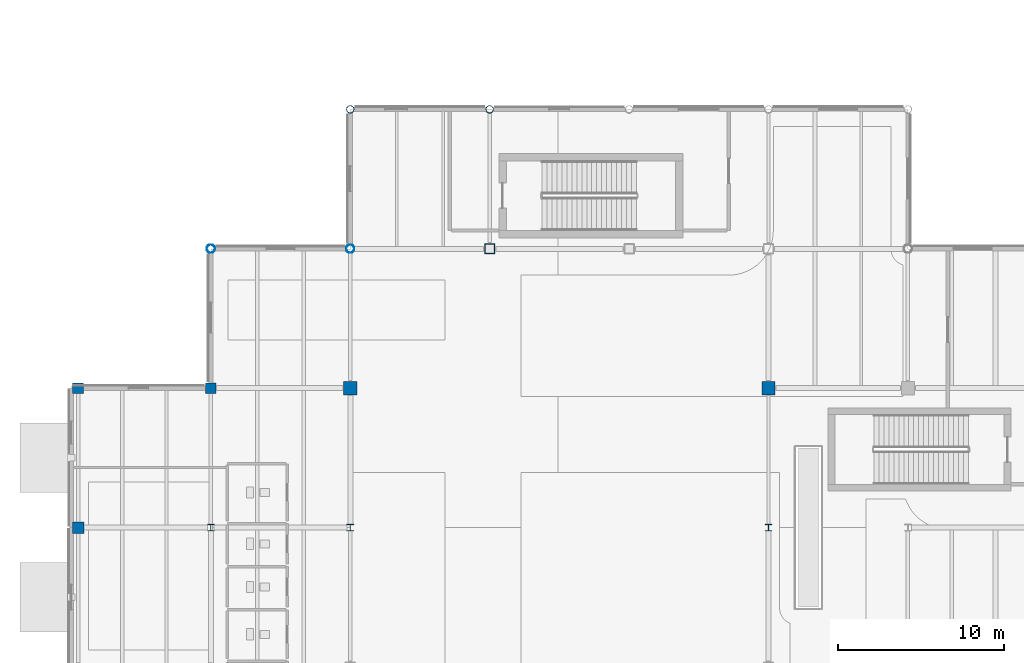
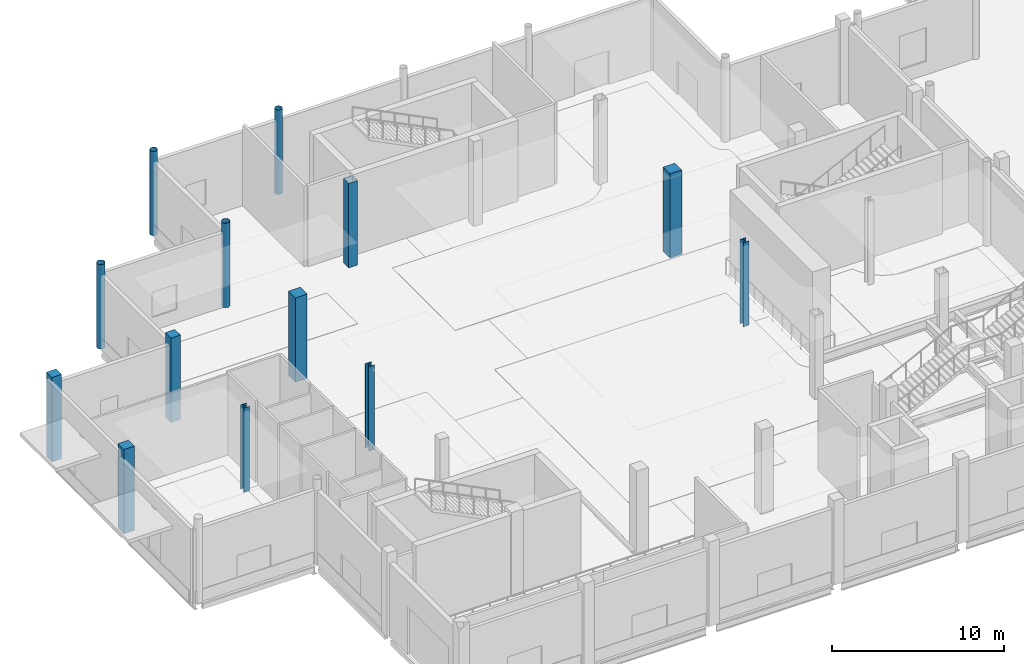
# One storey, part 7 of 85: 13 columns.
"""IFC4 building model written with IfcOpenShell, lengths in metres."""

from ifc_helpers import new_model, si_unit, direction, frame, origin, origin_2d, place, context, subcontext, project, spatial, rectangle, hollow_rectangle, hollow_circle, i_section, extrude, material, material_profile, profile_set, type_object, element, save


model = new_model("IFC4")

# Units and contexts
model_context = context("Model", 3, precision=1e-05, world=origin(), true_north=direction((0.0, 1.0)))
body_context = subcontext(model_context, "Body", "Model", "MODEL_VIEW")
ifc_project = project(units=[si_unit("LENGTHUNIT", "METRE"), si_unit("AREAUNIT", "SQUARE_METRE"), si_unit("VOLUMEUNIT", "CUBIC_METRE"), si_unit("PLANEANGLEUNIT", "RADIAN"), si_unit("MASSUNIT", "GRAM", prefix="KILO"), si_unit("THERMODYNAMICTEMPERATUREUNIT", "KELVIN")], contexts=[model_context])

# Site, building, storey
site_placement = place(None, origin())
site = spatial("IfcSite", under=ifc_project, at=site_placement, CompositionType="ELEMENT")
building_placement = place(site_placement, origin())
building = spatial("IfcBuilding", under=site, at=building_placement, Name="Lustrewick Department Store", CompositionType="ELEMENT")
storey_placement = place(building_placement, origin())
storey = spatial("IfcBuildingStorey", under=building, at=storey_placement, Name="L01", CompositionType="ELEMENT", Elevation=0.0)

# Columns
ifc_material_1 = material(Name="Structural steel Q355C", Category="steel")
ifc_material_profile_1 = material_profile(ifc_material_1, hollow_rectangle(XDim=0.60009765625, YDim=0.60009765625, WallThickness=0.02392578125, at=origin_2d()), Name="BOX 600x600x24")
ifc_profile_set_1 = profile_set([ifc_material_profile_1], Name="Structural steel Q355C")
column_type_1 = type_object("IfcColumnType", Name="C04", PredefinedType="COLUMN", material=ifc_profile_set_1)
column_1_placement = place(storey_placement, frame((25.199951171875, 84.0, 0.0), z_axis=(0.0, 0.0, 1.0), x_axis=(1.0, 0.0, 0.0)))
element("IfcColumn", 1, at=column_1_placement, inside=storey, type_object=column_type_1, Name="L01 V1 Column C04", PredefinedType="COLUMN", context=body_context, shape_type="SweptSolid", body=[
    extrude(hollow_rectangle(XDim=0.60009765625, YDim=0.60009765625, WallThickness=0.02392578125, at=origin_2d()), origin(), (0.0, 0.0, 1.0), 6.0),
])
ifc_material_2 = material(Name="Structural steel Q355B", Category="steel")
ifc_material_profile_2 = material_profile(ifc_material_2, i_section(OverallWidth=0.39990234375, OverallDepth=0.39990234375, WebThickness=0.012939453125, FlangeThickness=0.02099609375, FilletRadius=0.02197265625, at=origin_2d()), Name="HW 400x400x13x21")
ifc_profile_set_2 = profile_set([ifc_material_profile_2], Name="Structural steel Q355B")
column_type_2 = type_object("IfcColumnType", Name="C11", PredefinedType="COLUMN", material=ifc_profile_set_2)
for number, where, z_axis, x_axis, name in (
    (2, (8.39990234375, 67.199951171875, 0.0), (0.0, 0.0, 1.0), (1.0, 0.0, 0.0), "L01 V1 Column C11"),
    (3, (16.800048828125, 67.199951171875, 0.0), (0.0, 0.0, 1.0), (1.0, 0.0, 0.0), "L01 V1 Column C11"),
    (4, (42.0, 67.199951171875, 0.0), (0.0, 0.0, 1.0), (1.0, 0.0, 0.0), "L01 V1 Column C11"),
):
    element("IfcColumn", number, at=place(storey_placement, frame(where, z_axis=z_axis, x_axis=x_axis)), inside=storey, type_object=column_type_2, Name=name, PredefinedType="COLUMN", context=body_context, shape_type="SweptSolid", body=[
        extrude(i_section(OverallWidth=0.39990234375, OverallDepth=0.39990234375, WebThickness=0.012939453125, FlangeThickness=0.02099609375, FilletRadius=0.02197265625, at=origin_2d()), origin(), (0.0, 0.0, 1.0), 6.0),
    ])
ifc_material_3 = material(Name="Concrete C40", Category="concrete")
ifc_material_profile_3 = material_profile(ifc_material_3, rectangle(XDim=0.800048828125, YDim=0.800048828125, at=origin_2d()), Name="RC 800x800")
ifc_profile_set_3 = profile_set([ifc_material_profile_3], Name="Concrete C40")
column_type_3 = type_object("IfcColumnType", Name="C19", PredefinedType="COLUMN", material=ifc_profile_set_3)
for number, where, z_axis, x_axis, name in (
    (5, (16.800048828125, 75.60009765625, 0.0), (0.0, 0.0, 1.0), (1.0, 0.0, 0.0), "L01 V1 Column C19"),
    (6, (42.0, 75.60009765625, 0.0), (0.0, 0.0, 1.0), (1.0, 0.0, 0.0), "L01 V1 Column C19"),
):
    element("IfcColumn", number, at=place(storey_placement, frame(where, z_axis=z_axis, x_axis=x_axis)), inside=storey, type_object=column_type_3, Name=name, PredefinedType="COLUMN", context=body_context, shape_type="SweptSolid", body=[
        extrude(rectangle(XDim=0.800048828125, YDim=0.800048828125, at=origin_2d()), origin(), (0.0, 0.0, 1.0), 6.0),
    ])
ifc_material_profile_4 = material_profile(ifc_material_1, hollow_circle(Radius=0.25390625, WallThickness=0.01611328125, at=origin_2d()), Name="CHS 508x16")
ifc_profile_set_4 = profile_set([ifc_material_profile_4], Name="Structural steel Q355C")
column_type_4 = type_object("IfcColumnType", Name="CE01", PredefinedType="COLUMN", material=ifc_profile_set_4)
for number, where, z_axis, x_axis, name in (
    (7, (8.39990234375, 84.0, 0.0), (0.0, 0.0, 1.0), (1.0, 0.0, 0.0), "L01 V1 Column CE01"),
    (8, (16.800048828125, 84.0, 0.0), (0.0, 0.0, 1.0), (1.0, 0.0, 0.0), "L01 V1 Column CE01"),
):
    element("IfcColumn", number, at=place(storey_placement, frame(where, z_axis=z_axis, x_axis=x_axis)), inside=storey, type_object=column_type_4, Name=name, PredefinedType="COLUMN", context=body_context, shape_type="SweptSolid", body=[
        extrude(hollow_circle(Radius=0.25390625, WallThickness=0.01611328125, at=origin_2d()), origin(), (0.0, 0.0, 1.0), 6.0),
    ])
ifc_material_profile_5 = material_profile(ifc_material_1, hollow_circle(Radius=0.228515625, WallThickness=0.01611328125, at=origin_2d()), Name="CHS 457x16")
ifc_profile_set_5 = profile_set([ifc_material_profile_5], Name="Structural steel Q355C")
column_type_5 = type_object("IfcColumnType", Name="CE02", PredefinedType="COLUMN", material=ifc_profile_set_5)
for number, where, z_axis, x_axis, name in (
    (9, (16.800048828125, 92.39990234375, 0.0), (0.0, 0.0, 1.0), (1.0, 0.0, 0.0), "L01 V1 Column CE02"),
    (10, (25.199951171875, 92.39990234375, 0.0), (0.0, 0.0, 1.0), (1.0, 0.0, 0.0), "L01 V1 Column CE02"),
):
    element("IfcColumn", number, at=place(storey_placement, frame(where, z_axis=z_axis, x_axis=x_axis)), inside=storey, type_object=column_type_5, Name=name, PredefinedType="COLUMN", context=body_context, shape_type="SweptSolid", body=[
        extrude(hollow_circle(Radius=0.228515625, WallThickness=0.01611328125, at=origin_2d()), origin(), (0.0, 0.0, 1.0), 6.0),
    ])
ifc_material_profile_6 = material_profile(ifc_material_3, rectangle(XDim=0.699951171875, YDim=0.699951171875, at=origin_2d()), Name="RC 700x700")
ifc_profile_set_6 = profile_set([ifc_material_profile_6], Name="Concrete C40")
column_type_6 = type_object("IfcColumnType", Name="CE06", PredefinedType="COLUMN", material=ifc_profile_set_6)
column_2_placement = place(storey_placement, frame((0.39990234375, 67.199951171875, 0.0), z_axis=(0.0, 0.0, 1.0), x_axis=(1.0, 0.0, 0.0)))
element("IfcColumn", 11, at=column_2_placement, inside=storey, type_object=column_type_6, Name="L01 V1 Column CE06", PredefinedType="COLUMN", context=body_context, shape_type="SweptSolid", body=[
    extrude(rectangle(XDim=0.699951171875, YDim=0.699951171875, at=origin_2d()), origin(), (0.0, 0.0, 1.0), 6.0),
])
ifc_material_profile_7 = material_profile(ifc_material_3, rectangle(XDim=0.64990234375, YDim=0.64990234375, at=origin_2d()), Name="RC 650x650")
ifc_profile_set_7 = profile_set([ifc_material_profile_7], Name="Concrete C40")
column_type_7 = type_object("IfcColumnType", Name="CE07", PredefinedType="COLUMN", material=ifc_profile_set_7)
for number, where, z_axis, x_axis, name in (
    (12, (0.39990234375, 75.60009765625, 0.0), (0.0, 0.0, 1.0), (1.0, 0.0, 0.0), "L01 V1 Column CE07"),
    (13, (8.39990234375, 75.60009765625, 0.0), (0.0, 0.0, 1.0), (1.0, 0.0, 0.0), "L01 V1 Column CE07"),
):
    element("IfcColumn", number, at=place(storey_placement, frame(where, z_axis=z_axis, x_axis=x_axis)), inside=storey, type_object=column_type_7, Name=name, PredefinedType="COLUMN", context=body_context, shape_type="SweptSolid", body=[
        extrude(rectangle(XDim=0.64990234375, YDim=0.64990234375, at=origin_2d()), origin(), (0.0, 0.0, 1.0), 6.0),
    ])

save(model, "model.ifc")
